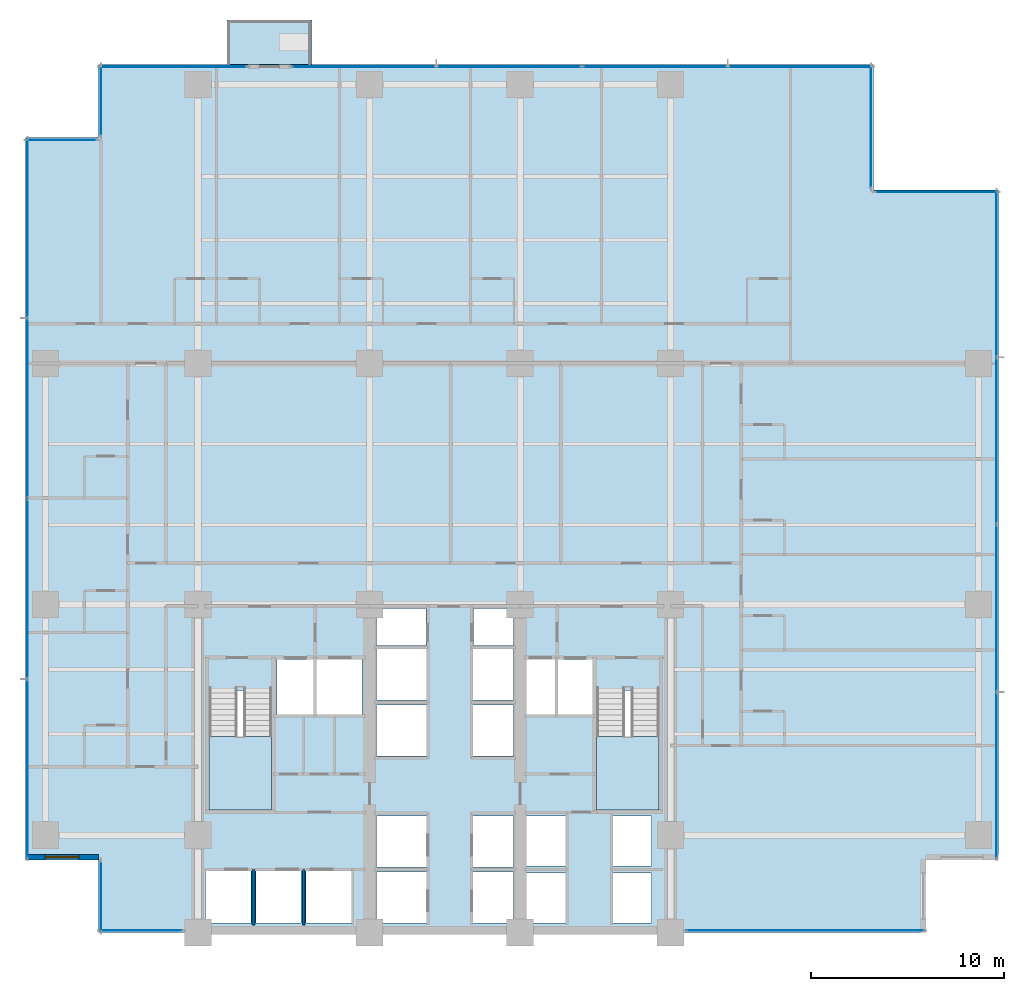
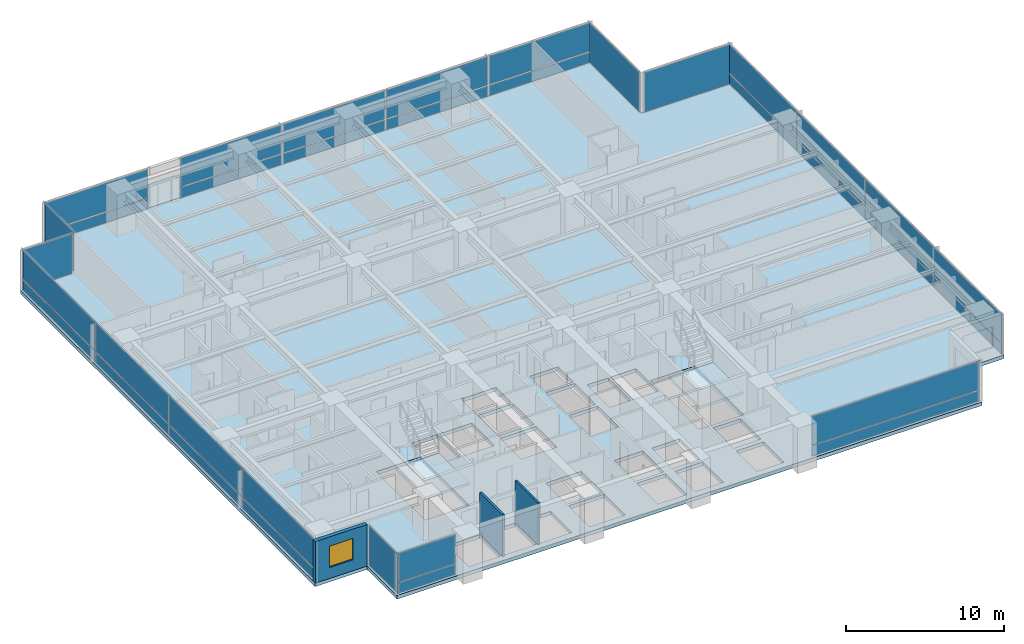
# One storey, part 6 of 17: 35 plates, 4 slabs, 3 walls, 1 window, 1 opening, 13 elements without a shape of their own.
"""IFC4 building model written with IfcOpenShell, lengths in metres."""

from ifc_helpers import new_model, si_unit, direction, frame, frame_2d, origin, origin_2d, place, context, subcontext, project, spatial, polyline, rectangle, outline, extrude, material, layer, layer_set, type_object, element, fill, aggregate, save


model = new_model("IFC4")

# Units and contexts
model_context = context("Model", 3, precision=1e-05, world=origin(), true_north=direction((0.0, 1.0)))
body_context = subcontext(model_context, "Body", "Model", "MODEL_VIEW")
ifc_project = project(units=[si_unit("LENGTHUNIT", "METRE"), si_unit("AREAUNIT", "SQUARE_METRE"), si_unit("VOLUMEUNIT", "CUBIC_METRE"), si_unit("PLANEANGLEUNIT", "RADIAN"), si_unit("MASSUNIT", "GRAM", prefix="KILO")], contexts=[model_context])

# Site, building, storey
site_placement = place(None, origin())
site = spatial("IfcSite", under=ifc_project, at=site_placement, CompositionType="ELEMENT")
building_placement = place(site_placement, origin())
building = spatial("IfcBuilding", under=site, at=building_placement, Name="Qalmaran Belvedere Hotel", CompositionType="ELEMENT")
storey_placement = place(building_placement, frame((0.0, 0.0, 33.39990234375)))
storey = spatial("IfcBuildingStorey", under=building, at=storey_placement, Name="L07", CompositionType="ELEMENT", Elevation=33.39990234375)

# Curtain wall, plate
ifc_material_1 = material(Name="Anodised Bronze Aluminium", Category="aluminium")
ifc_layer_1 = layer(ifc_material_1, 0.2099609375, Name="Anodised Bronze Aluminium")
ifc_layer_set_1 = layer_set([ifc_layer_1], Name="Anodised Bronze Aluminium")
curtain_wall_type = type_object("IfcCurtainWallType", Name="CW2-TOWER-LOWER", PredefinedType="NOTDEFINED", material=ifc_layer_set_1)
curtain_wall_1_placement = place(storey_placement, origin())
curtain_wall_1 = element("IfcCurtainWall", 1, at=curtain_wall_1_placement, inside=storey, type_object=curtain_wall_type, Name="L07 Curtain Wall CW2", PredefinedType="NOTDEFINED")
ifc_material_2 = material(Name="Anodised Bronze Spandrel Panel")
ifc_layer_2 = layer(ifc_material_2, 0.035888671875, Name="Anodised Bronze Spandrel Panel")
ifc_layer_set_2 = layer_set([ifc_layer_2], Name="Anodised Bronze Spandrel Panel")
plate_type_1 = type_object("IfcPlateType", Name="CWP-SPANDREL-36", PredefinedType="CURTAIN_PANEL", material=ifc_layer_set_2)
plate_1_placement = place(storey_placement, frame((17.35498046875, 3.6201171875, 0.0703125), z_axis=(0.0, 0.0, 1.0), x_axis=(1.0, 0.0, 0.0)))
plate_1 = element("IfcPlate", 2, at=plate_1_placement, type_object=plate_type_1, Name="CW2 panel 1.1", PredefinedType="CURTAIN_PANEL", context=body_context, shape_type="SweptSolid", body=[
    extrude(rectangle(XDim=4.260009765625, YDim=0.035888671875, at=origin_2d()), origin(), (0.0, 0.0, 1.0), 0.796630859375),
])

curtain_wall_2_placement = place(storey_placement, origin())
curtain_wall_2 = element("IfcCurtainWall", 3, at=curtain_wall_2_placement, inside=storey, type_object=curtain_wall_type, Name="L07 Curtain Wall CW2", PredefinedType="NOTDEFINED")
plate_2_placement = place(storey_placement, frame((51.77001953125, 3.6201171875, 0.0703125), z_axis=(0.0, 0.0, 1.0), x_axis=(1.0, 0.0, 0.0)))
plate_2 = element("IfcPlate", 4, at=plate_2_placement, type_object=plate_type_1, Name="CW2 panel 1.1", PredefinedType="CURTAIN_PANEL", context=body_context, shape_type="SweptSolid", body=[
    extrude(rectangle(XDim=12.31005859375, YDim=0.035888671875, at=origin_2d()), origin(), (0.0, 0.0, 1.0), 0.796630859375),
])

# Curtain wall, plates
curtain_wall_3_placement = place(storey_placement, origin())
curtain_wall_3 = element("IfcCurtainWall", 5, at=curtain_wall_3_placement, inside=storey, type_object=curtain_wall_type, Name="L07 Curtain Wall CW2", PredefinedType="NOTDEFINED")
plate_3_placement = place(storey_placement, frame((61.679931640625, 11.65625, 0.0703125), z_axis=(0.0, 0.0, 1.0), x_axis=(0.0, 1.0, 0.0)))
plate_3 = element("IfcPlate", 6, at=plate_3_placement, type_object=plate_type_1, Name="CW2 panel 1.1", PredefinedType="CURTAIN_PANEL", context=body_context, shape_type="SweptSolid", body=[
    extrude(rectangle(XDim=8.5625, YDim=0.035888671875, at=origin_2d()), origin(), (0.0, 0.0, 1.0), 0.796630859375),
])
plate_4_placement = place(storey_placement, frame((61.679931640625, 20.3125, 0.0703125), z_axis=(0.0, 0.0, 1.0), x_axis=(0.0, 1.0, 0.0)))
plate_4 = element("IfcPlate", 7, at=plate_4_placement, type_object=plate_type_1, Name="CW2 panel 2.1", PredefinedType="CURTAIN_PANEL", context=body_context, shape_type="SweptSolid", body=[
    extrude(rectangle(XDim=8.60009765625, YDim=0.035888671875, at=origin_2d()), origin(), (0.0, 0.0, 1.0), 0.796630859375),
])
plate_5_placement = place(storey_placement, frame((61.679931640625, 28.987548828125, 0.0703125), z_axis=(0.0, 0.0, 1.0), x_axis=(0.0, 1.0, 0.0)))
plate_5 = element("IfcPlate", 8, at=plate_5_placement, type_object=plate_type_1, Name="CW2 panel 3.1", PredefinedType="CURTAIN_PANEL", context=body_context, shape_type="SweptSolid", body=[
    extrude(rectangle(XDim=8.60009765625, YDim=0.035888671875, at=origin_2d()), origin(), (0.0, 0.0, 1.0), 0.796630859375),
])
plate_6_placement = place(storey_placement, frame((61.679931640625, 37.643798828125, 0.0703125), z_axis=(0.0, 0.0, 1.0), x_axis=(0.0, 1.0, 0.0)))
plate_6 = element("IfcPlate", 9, at=plate_6_placement, type_object=plate_type_1, Name="CW2 panel 4.1", PredefinedType="CURTAIN_PANEL", context=body_context, shape_type="SweptSolid", body=[
    extrude(rectangle(XDim=8.5625, YDim=0.035888671875, at=origin_2d()), origin(), (0.0, 0.0, 1.0), 0.796630859375),
])

# Curtain wall, plate
curtain_wall_4_placement = place(storey_placement, origin())
curtain_wall_4 = element("IfcCurtainWall", 10, at=curtain_wall_4_placement, inside=storey, type_object=curtain_wall_type, Name="L07 Curtain Wall CW2", PredefinedType="NOTDEFINED")
plate_7_placement = place(storey_placement, frame((19.02490234375, 48.3798828125, 0.0703125), z_axis=(0.0, 0.0, 1.0), x_axis=(-1.0, 0.0, 0.0)))
plate_7 = element("IfcPlate", 11, at=plate_7_placement, type_object=plate_type_1, Name="CW2 panel 1.1", PredefinedType="CURTAIN_PANEL", context=body_context, shape_type="SweptSolid", body=[
    extrude(rectangle(XDim=7.60009765625, YDim=0.035888671875, at=origin_2d()), origin(), (0.0, 0.0, 1.0), 0.796630859375),
])

# Curtain wall, plates
curtain_wall_5_placement = place(storey_placement, origin())
curtain_wall_5 = element("IfcCurtainWall", 12, at=curtain_wall_5_placement, inside=storey, type_object=curtain_wall_type, Name="L07 Curtain Wall CW2", PredefinedType="NOTDEFINED")
plate_8_placement = place(storey_placement, frame((51.50634765625, 48.3798828125, 0.0703125), z_axis=(0.0, 0.0, 1.0), x_axis=(-1.0, 0.0, 0.0)))
plate_8 = element("IfcPlate", 13, at=plate_8_placement, type_object=plate_type_1, Name="CW2 panel 1.1", PredefinedType="CURTAIN_PANEL", context=body_context, shape_type="SweptSolid", body=[
    extrude(rectangle(XDim=7.4375, YDim=0.035888671875, at=origin_2d()), origin(), (0.0, 0.0, 1.0), 0.796630859375),
])
plate_9_placement = place(storey_placement, frame((43.97509765625, 48.3798828125, 0.0703125), z_axis=(0.0, 0.0, 1.0), x_axis=(-1.0, 0.0, 0.0)))
plate_9 = element("IfcPlate", 14, at=plate_9_placement, type_object=plate_type_1, Name="CW2 panel 2.1", PredefinedType="CURTAIN_PANEL", context=body_context, shape_type="SweptSolid", body=[
    extrude(rectangle(XDim=7.47509765625, YDim=0.035888671875, at=origin_2d()), origin(), (0.0, 0.0, 1.0), 0.796630859375),
])
plate_10_placement = place(storey_placement, frame((36.425048828125, 48.3798828125, 0.0703125), z_axis=(0.0, 0.0, 1.0), x_axis=(-1.0, 0.0, 0.0)))
plate_10 = element("IfcPlate", 15, at=plate_10_placement, type_object=plate_type_1, Name="CW2 panel 3.1", PredefinedType="CURTAIN_PANEL", context=body_context, shape_type="SweptSolid", body=[
    extrude(rectangle(XDim=7.47509765625, YDim=0.035888671875, at=origin_2d()), origin(), (0.0, 0.0, 1.0), 0.796630859375),
])
plate_11_placement = place(storey_placement, frame((28.893798828125, 48.3798828125, 0.0703125), z_axis=(0.0, 0.0, 1.0), x_axis=(-1.0, 0.0, 0.0)))
plate_11 = element("IfcPlate", 16, at=plate_11_placement, type_object=plate_type_1, Name="CW2 panel 4.1", PredefinedType="CURTAIN_PANEL", context=body_context, shape_type="SweptSolid", body=[
    extrude(rectangle(XDim=7.4375, YDim=0.035888671875, at=origin_2d()), origin(), (0.0, 0.0, 1.0), 0.796630859375),
])

curtain_wall_6_placement = place(storey_placement, origin())
curtain_wall_6 = element("IfcCurtainWall", 17, at=curtain_wall_6_placement, inside=storey, type_object=curtain_wall_type, Name="L07 Curtain Wall CW2", PredefinedType="NOTDEFINED")
plate_12_placement = place(storey_placement, frame((11.469970703125, 40.00634765625, 0.0703125), z_axis=(0.0, 0.0, 1.0), x_axis=(0.0, -1.0, 0.0)))
plate_12 = element("IfcPlate", 18, at=plate_12_placement, type_object=plate_type_1, Name="CW2 panel 1.1", PredefinedType="CURTAIN_PANEL", context=body_context, shape_type="SweptSolid", body=[
    extrude(rectangle(XDim=9.237548828125, YDim=0.035888671875, at=origin_2d()), origin(), (0.0, 0.0, 1.0), 0.796630859375),
])
plate_13_placement = place(storey_placement, frame((11.469970703125, 30.675048828125, 0.0703125), z_axis=(0.0, 0.0, 1.0), x_axis=(0.0, -1.0, 0.0)))
plate_13 = element("IfcPlate", 19, at=plate_13_placement, type_object=plate_type_1, Name="CW2 panel 2.1", PredefinedType="CURTAIN_PANEL", context=body_context, shape_type="SweptSolid", body=[
    extrude(rectangle(XDim=9.27490234375, YDim=0.035888671875, at=origin_2d()), origin(), (0.0, 0.0, 1.0), 0.796630859375),
])
plate_14_placement = place(storey_placement, frame((11.469970703125, 21.324951171875, 0.0703125), z_axis=(0.0, 0.0, 1.0), x_axis=(0.0, -1.0, 0.0)))
plate_14 = element("IfcPlate", 20, at=plate_14_placement, type_object=plate_type_1, Name="CW2 panel 3.1", PredefinedType="CURTAIN_PANEL", context=body_context, shape_type="SweptSolid", body=[
    extrude(rectangle(XDim=9.27490234375, YDim=0.035888671875, at=origin_2d()), origin(), (0.0, 0.0, 1.0), 0.796630859375),
])
plate_15_placement = place(storey_placement, frame((11.469970703125, 11.99365234375, 0.0703125), z_axis=(0.0, 0.0, 1.0), x_axis=(0.0, -1.0, 0.0)))
plate_15 = element("IfcPlate", 21, at=plate_15_placement, type_object=plate_type_1, Name="CW2 panel 4.1", PredefinedType="CURTAIN_PANEL", context=body_context, shape_type="SweptSolid", body=[
    extrude(rectangle(XDim=9.237548828125, YDim=0.035888671875, at=origin_2d()), origin(), (0.0, 0.0, 1.0), 0.796630859375),
])

# Plate
ifc_material_3 = material(Name="Solar-Control Double Glazing", Category="glass")
ifc_layer_3 = layer(ifc_material_3, 0.028076171875, Name="Solar-Control Double Glazing")
ifc_layer_set_3 = layer_set([ifc_layer_3], Name="Solar-Control Double Glazing")
plate_type_2 = type_object("IfcPlateType", Name="CWP-VISION-28", PredefinedType="CURTAIN_PANEL", material=ifc_layer_set_3)
plate_16_placement = place(storey_placement, frame((17.35498046875, 3.6201171875, 0.936767578125), z_axis=(0.0, 0.0, 1.0), x_axis=(1.0, 0.0, 0.0)))
plate_16 = element("IfcPlate", 22, at=plate_16_placement, type_object=plate_type_2, Name="CW2 panel 1.2", PredefinedType="CURTAIN_PANEL", context=body_context, shape_type="SweptSolid", body=[
    extrude(rectangle(XDim=4.260009765625, YDim=0.028076171875, at=origin_2d()), origin(), (0.0, 0.0, 1.0), 2.21337890625),
])

aggregate(curtain_wall_1, [plate_1, plate_16])

plate_17_placement = place(storey_placement, frame((51.77001953125, 3.6201171875, 0.936767578125), z_axis=(0.0, 0.0, 1.0), x_axis=(1.0, 0.0, 0.0)))
plate_17 = element("IfcPlate", 23, at=plate_17_placement, type_object=plate_type_2, Name="CW2 panel 1.2", PredefinedType="CURTAIN_PANEL", context=body_context, shape_type="SweptSolid", body=[
    extrude(rectangle(XDim=12.31005859375, YDim=0.028076171875, at=origin_2d()), origin(), (0.0, 0.0, 1.0), 2.21337890625),
])

aggregate(curtain_wall_2, [plate_2, plate_17])

plate_18_placement = place(storey_placement, frame((61.679931640625, 11.65625, 0.936767578125), z_axis=(0.0, 0.0, 1.0), x_axis=(0.0, 1.0, 0.0)))
plate_18 = element("IfcPlate", 24, at=plate_18_placement, type_object=plate_type_2, Name="CW2 panel 1.2", PredefinedType="CURTAIN_PANEL", context=body_context, shape_type="SweptSolid", body=[
    extrude(rectangle(XDim=8.5625, YDim=0.028076171875, at=origin_2d()), origin(), (0.0, 0.0, 1.0), 2.21337890625),
])

plate_19_placement = place(storey_placement, frame((61.679931640625, 20.3125, 0.936767578125), z_axis=(0.0, 0.0, 1.0), x_axis=(0.0, 1.0, 0.0)))
plate_19 = element("IfcPlate", 25, at=plate_19_placement, type_object=plate_type_2, Name="CW2 panel 2.2", PredefinedType="CURTAIN_PANEL", context=body_context, shape_type="SweptSolid", body=[
    extrude(rectangle(XDim=8.60009765625, YDim=0.028076171875, at=origin_2d()), origin(), (0.0, 0.0, 1.0), 2.21337890625),
])

plate_20_placement = place(storey_placement, frame((61.679931640625, 28.987548828125, 0.936767578125), z_axis=(0.0, 0.0, 1.0), x_axis=(0.0, 1.0, 0.0)))
plate_20 = element("IfcPlate", 26, at=plate_20_placement, type_object=plate_type_2, Name="CW2 panel 3.2", PredefinedType="CURTAIN_PANEL", context=body_context, shape_type="SweptSolid", body=[
    extrude(rectangle(XDim=8.60009765625, YDim=0.028076171875, at=origin_2d()), origin(), (0.0, 0.0, 1.0), 2.21337890625),
])

plate_21_placement = place(storey_placement, frame((61.679931640625, 37.643798828125, 0.936767578125), z_axis=(0.0, 0.0, 1.0), x_axis=(0.0, 1.0, 0.0)))
plate_21 = element("IfcPlate", 27, at=plate_21_placement, type_object=plate_type_2, Name="CW2 panel 4.2", PredefinedType="CURTAIN_PANEL", context=body_context, shape_type="SweptSolid", body=[
    extrude(rectangle(XDim=8.5625, YDim=0.028076171875, at=origin_2d()), origin(), (0.0, 0.0, 1.0), 2.21337890625),
])

aggregate(curtain_wall_3, [plate_3, plate_18, plate_4, plate_19, plate_5, plate_20, plate_6, plate_21])

# Curtain wall, plate
curtain_wall_7_placement = place(storey_placement, origin())
curtain_wall_7 = element("IfcCurtainWall", 28, at=curtain_wall_7_placement, inside=storey, type_object=curtain_wall_type, Name="L07 Curtain Wall CW2", PredefinedType="NOTDEFINED")
plate_22_placement = place(storey_placement, frame((58.550048828125, 41.8798828125, 0.070068359375), z_axis=(0.0, 0.0, 1.0), x_axis=(-1.0, 0.0, 0.0)))
plate_22 = element("IfcPlate", 29, at=plate_22_placement, type_object=plate_type_2, Name="CW2 panel 1.1", PredefinedType="CURTAIN_PANEL", context=body_context, shape_type="SweptSolid", body=[
    extrude(rectangle(XDim=6.35009765625, YDim=0.028076171875, at=origin_2d()), origin(), (0.0, 0.0, 1.0), 3.080078125),
])
aggregate(curtain_wall_7, [plate_22])

curtain_wall_8_placement = place(storey_placement, origin())
curtain_wall_8 = element("IfcCurtainWall", 30, at=curtain_wall_8_placement, inside=storey, type_object=curtain_wall_type, Name="L07 Curtain Wall CW2", PredefinedType="NOTDEFINED")
plate_23_placement = place(storey_placement, frame((55.179931640625, 45.25, 0.070068359375), z_axis=(0.0, 0.0, 1.0), x_axis=(0.0, 1.0, 0.0)))
plate_23 = element("IfcPlate", 31, at=plate_23_placement, type_object=plate_type_2, Name="CW2 panel 1.1", PredefinedType="CURTAIN_PANEL", context=body_context, shape_type="SweptSolid", body=[
    extrude(rectangle(XDim=6.35009765625, YDim=0.028076171875, at=origin_2d()), origin(), (0.0, 0.0, 1.0), 3.080078125),
])
aggregate(curtain_wall_8, [plate_23])

# Plate
plate_24_placement = place(storey_placement, frame((19.02490234375, 48.3798828125, 0.936767578125), z_axis=(0.0, 0.0, 1.0), x_axis=(-1.0, 0.0, 0.0)))
plate_24 = element("IfcPlate", 32, at=plate_24_placement, type_object=plate_type_2, Name="CW2 panel 1.2", PredefinedType="CURTAIN_PANEL", context=body_context, shape_type="SweptSolid", body=[
    extrude(rectangle(XDim=7.60009765625, YDim=0.028076171875, at=origin_2d()), origin(), (0.0, 0.0, 1.0), 2.21337890625),
])

aggregate(curtain_wall_4, [plate_7, plate_24])

plate_25_placement = place(storey_placement, frame((51.50634765625, 48.3798828125, 0.936767578125), z_axis=(0.0, 0.0, 1.0), x_axis=(-1.0, 0.0, 0.0)))
plate_25 = element("IfcPlate", 33, at=plate_25_placement, type_object=plate_type_2, Name="CW2 panel 1.2", PredefinedType="CURTAIN_PANEL", context=body_context, shape_type="SweptSolid", body=[
    extrude(rectangle(XDim=7.4375, YDim=0.028076171875, at=origin_2d()), origin(), (0.0, 0.0, 1.0), 2.21337890625),
])

plate_26_placement = place(storey_placement, frame((43.97509765625, 48.3798828125, 0.936767578125), z_axis=(0.0, 0.0, 1.0), x_axis=(-1.0, 0.0, 0.0)))
plate_26 = element("IfcPlate", 34, at=plate_26_placement, type_object=plate_type_2, Name="CW2 panel 2.2", PredefinedType="CURTAIN_PANEL", context=body_context, shape_type="SweptSolid", body=[
    extrude(rectangle(XDim=7.47509765625, YDim=0.028076171875, at=origin_2d()), origin(), (0.0, 0.0, 1.0), 2.21337890625),
])

plate_27_placement = place(storey_placement, frame((36.425048828125, 48.3798828125, 0.936767578125), z_axis=(0.0, 0.0, 1.0), x_axis=(-1.0, 0.0, 0.0)))
plate_27 = element("IfcPlate", 35, at=plate_27_placement, type_object=plate_type_2, Name="CW2 panel 3.2", PredefinedType="CURTAIN_PANEL", context=body_context, shape_type="SweptSolid", body=[
    extrude(rectangle(XDim=7.47509765625, YDim=0.028076171875, at=origin_2d()), origin(), (0.0, 0.0, 1.0), 2.21337890625),
])

plate_28_placement = place(storey_placement, frame((28.893798828125, 48.3798828125, 0.936767578125), z_axis=(0.0, 0.0, 1.0), x_axis=(-1.0, 0.0, 0.0)))
plate_28 = element("IfcPlate", 36, at=plate_28_placement, type_object=plate_type_2, Name="CW2 panel 4.2", PredefinedType="CURTAIN_PANEL", context=body_context, shape_type="SweptSolid", body=[
    extrude(rectangle(XDim=7.4375, YDim=0.028076171875, at=origin_2d()), origin(), (0.0, 0.0, 1.0), 2.21337890625),
])

aggregate(curtain_wall_5, [plate_8, plate_25, plate_9, plate_26, plate_10, plate_27, plate_11, plate_28])

# Curtain wall, plate
curtain_wall_9_placement = place(storey_placement, origin())
curtain_wall_9 = element("IfcCurtainWall", 37, at=curtain_wall_9_placement, inside=storey, type_object=curtain_wall_type, Name="L07 Curtain Wall CW2", PredefinedType="NOTDEFINED")
plate_29_placement = place(storey_placement, frame((15.27001953125, 46.60009765625, 0.070068359375), z_axis=(0.0, 0.0, 1.0), x_axis=(0.0, -1.0, 0.0)))
plate_29 = element("IfcPlate", 38, at=plate_29_placement, type_object=plate_type_2, Name="CW2 panel 1.1", PredefinedType="CURTAIN_PANEL", context=body_context, shape_type="SweptSolid", body=[
    extrude(rectangle(XDim=3.64990234375, YDim=0.028076171875, at=origin_2d()), origin(), (0.0, 0.0, 1.0), 3.080078125),
])
aggregate(curtain_wall_9, [plate_29])

curtain_wall_10_placement = place(storey_placement, origin())
curtain_wall_10 = element("IfcCurtainWall", 39, at=curtain_wall_10_placement, inside=storey, type_object=curtain_wall_type, Name="L07 Curtain Wall CW2", PredefinedType="NOTDEFINED")
plate_30_placement = place(storey_placement, frame((13.25, 44.580078125, 0.070068359375), z_axis=(0.0, 0.0, 1.0), x_axis=(-1.0, 0.0, 0.0)))
plate_30 = element("IfcPlate", 40, at=plate_30_placement, type_object=plate_type_2, Name="CW2 panel 1.1", PredefinedType="CURTAIN_PANEL", context=body_context, shape_type="SweptSolid", body=[
    extrude(rectangle(XDim=3.64990234375, YDim=0.028076171875, at=origin_2d()), origin(), (0.0, 0.0, 1.0), 3.080078125),
])
aggregate(curtain_wall_10, [plate_30])

# Plate
plate_31_placement = place(storey_placement, frame((11.469970703125, 40.00634765625, 0.936767578125), z_axis=(0.0, 0.0, 1.0), x_axis=(0.0, -1.0, 0.0)))
plate_31 = element("IfcPlate", 41, at=plate_31_placement, type_object=plate_type_2, Name="CW2 panel 1.2", PredefinedType="CURTAIN_PANEL", context=body_context, shape_type="SweptSolid", body=[
    extrude(rectangle(XDim=9.237548828125, YDim=0.028076171875, at=origin_2d()), origin(), (0.0, 0.0, 1.0), 2.21337890625),
])

plate_32_placement = place(storey_placement, frame((11.469970703125, 30.675048828125, 0.936767578125), z_axis=(0.0, 0.0, 1.0), x_axis=(0.0, -1.0, 0.0)))
plate_32 = element("IfcPlate", 42, at=plate_32_placement, type_object=plate_type_2, Name="CW2 panel 2.2", PredefinedType="CURTAIN_PANEL", context=body_context, shape_type="SweptSolid", body=[
    extrude(rectangle(XDim=9.27490234375, YDim=0.028076171875, at=origin_2d()), origin(), (0.0, 0.0, 1.0), 2.21337890625),
])

plate_33_placement = place(storey_placement, frame((11.469970703125, 21.324951171875, 0.936767578125), z_axis=(0.0, 0.0, 1.0), x_axis=(0.0, -1.0, 0.0)))
plate_33 = element("IfcPlate", 43, at=plate_33_placement, type_object=plate_type_2, Name="CW2 panel 3.2", PredefinedType="CURTAIN_PANEL", context=body_context, shape_type="SweptSolid", body=[
    extrude(rectangle(XDim=9.27490234375, YDim=0.028076171875, at=origin_2d()), origin(), (0.0, 0.0, 1.0), 2.21337890625),
])

plate_34_placement = place(storey_placement, frame((11.469970703125, 11.99365234375, 0.936767578125), z_axis=(0.0, 0.0, 1.0), x_axis=(0.0, -1.0, 0.0)))
plate_34 = element("IfcPlate", 44, at=plate_34_placement, type_object=plate_type_2, Name="CW2 panel 4.2", PredefinedType="CURTAIN_PANEL", context=body_context, shape_type="SweptSolid", body=[
    extrude(rectangle(XDim=9.237548828125, YDim=0.028076171875, at=origin_2d()), origin(), (0.0, 0.0, 1.0), 2.21337890625),
])

aggregate(curtain_wall_6, [plate_12, plate_31, plate_13, plate_32, plate_14, plate_33, plate_15, plate_34])

# Curtain wall, plate
curtain_wall_11_placement = place(storey_placement, origin())
curtain_wall_11 = element("IfcCurtainWall", 45, at=curtain_wall_11_placement, inside=storey, type_object=curtain_wall_type, Name="L07 Curtain Wall CW2", PredefinedType="NOTDEFINED")
plate_35_placement = place(storey_placement, frame((15.27001953125, 5.39990234375, 0.070068359375), z_axis=(0.0, 0.0, 1.0), x_axis=(0.0, -1.0, 0.0)))
plate_35 = element("IfcPlate", 46, at=plate_35_placement, type_object=plate_type_2, Name="CW2 panel 1.1", PredefinedType="CURTAIN_PANEL", context=body_context, shape_type="SweptSolid", body=[
    extrude(rectangle(XDim=3.64990234375, YDim=0.028076171875, at=origin_2d()), origin(), (0.0, 0.0, 1.0), 3.080078125),
])
aggregate(curtain_wall_11, [plate_35])

# Slab
ifc_material_4 = material(Name="Concrete C40/50", Category="concrete")
ifc_layer_4 = layer(ifc_material_4, 0.219970703125, Name="Concrete C40/50")
ifc_layer_set_4 = layer_set([ifc_layer_4], Name="Concrete C40/50")
slab_type_1 = type_object("IfcSlabType", Name="SLB-BAL-220", PredefinedType="USERDEFINED", material=ifc_layer_set_4)
slab_1_placement = place(storey_placement, frame((0.0, 0.0, -0.219970703125)))
element("IfcSlab", 47, at=slab_1_placement, inside=storey, type_object=slab_type_1, Name="L07 Planted Tree Balcony Slab 1", ObjectType="BALCONY", PredefinedType="USERDEFINED", context=body_context, shape_type="SweptSolid", body=[
    extrude(outline(polyline([(21.800048828125, 48.5), (26.199951171875, 48.5), (26.199951171875, 50.800048828125), (21.800048828125, 50.800048828125), (21.800048828125, 48.5)])), origin(), (0.0, 0.0, 1.0), 0.219970703125),
])

# Stair, slab
stair_type_1 = type_object("IfcStairType", Name="STR-ST-1-1450-R1750", PredefinedType="HALF_TURN_STAIR", material=ifc_material_4)
stair_1_placement = place(storey_placement, origin())
stair_1 = element("IfcStair", 48, at=stair_1_placement, inside=storey, type_object=stair_type_1, Name="L07 West Core Exit Stair ST-1", PredefinedType="HALF_TURN_STAIR")
ifc_layer_5 = layer(ifc_material_4, 0.199951171875, Name="Concrete C40/50")
ifc_layer_set_5 = layer_set([ifc_layer_5], Name="Concrete C40/50")
slab_type_2 = type_object("IfcSlabType", Name="SLB-STAIR-LANDING-200", PredefinedType="LANDING", material=ifc_layer_set_5)
slab_2_placement = place(storey_placement, frame((0.0, 0.0, 1.550048828125)))
slab_2 = element("IfcSlab", 49, at=slab_2_placement, type_object=slab_type_2, Name="ST-1 landing 1", PredefinedType="LANDING", context=body_context, shape_type="SweptSolid", body=[
    extrude(outline(polyline([(20.8798828125, 13.669921875), (20.8798828125, 9.85009765625), (24.1201171875, 9.85009765625), (24.1201171875, 13.669921875), (20.8798828125, 13.669921875)])), origin(), (0.0, 0.0, 1.0), 0.199951171875),
])
aggregate(stair_1, [slab_2])

stair_type_2 = type_object("IfcStairType", Name="STR-ST-2-1450-R1750", PredefinedType="HALF_TURN_STAIR", material=ifc_material_4)
stair_2_placement = place(storey_placement, origin())
stair_2 = element("IfcStair", 50, at=stair_2_placement, inside=storey, type_object=stair_type_2, Name="L07 East Core Exit Stair ST-2", PredefinedType="HALF_TURN_STAIR")
slab_3_placement = place(storey_placement, frame((0.0, 0.0, 1.550048828125)))
slab_3 = element("IfcSlab", 51, at=slab_3_placement, type_object=slab_type_2, Name="ST-2 landing 1", PredefinedType="LANDING", context=body_context, shape_type="SweptSolid", body=[
    extrude(outline(polyline([(40.9599609375, 13.669921875), (40.9599609375, 9.85009765625), (44.199951171875, 9.85009765625), (44.199951171875, 13.669921875), (40.9599609375, 13.669921875)])), origin(), (0.0, 0.0, 1.0), 0.199951171875),
])
aggregate(stair_2, [slab_3])

# Slab
ifc_layer_6 = layer(ifc_material_4, 0.280029296875, Name="Concrete C40/50")
ifc_layer_set_6 = layer_set([ifc_layer_6], Name="Concrete C40/50")
slab_type_3 = type_object("IfcSlabType", Name="SLB-Z1-280", PredefinedType="FLOOR", material=ifc_layer_set_6)
slab_4_placement = place(storey_placement, frame((0.0, 0.0, -0.27978515625)))
element("IfcSlab", 52, at=slab_4_placement, inside=storey, type_object=slab_type_3, Name="L07 Structural Floor Slab", PredefinedType="FLOOR", context=body_context, shape_type="SweptSolid", body=[
    extrude(outline(polyline([(15.14990234375, 3.5), (58.0, 3.5), (58.0, 7.300048828125), (61.800048828125, 7.300048828125), (61.800048828125, 42.0), (55.300048828125, 42.0), (55.300048828125, 48.5), (15.14990234375, 48.5), (15.14990234375, 44.699951171875), (11.35009765625, 44.699951171875), (11.35009765625, 7.300048828125), (15.14990234375, 7.300048828125), (15.14990234375, 3.5)]), holes=[polyline([(20.8798828125, 9.85009765625), (24.1201171875, 9.85009765625), (24.1201171875, 16.0400390625), (20.8798828125, 16.0400390625), (20.8798828125, 9.85009765625)]), polyline([(40.9599609375, 9.85009765625), (44.199951171875, 9.85009765625), (44.199951171875, 16.0400390625), (40.9599609375, 16.0400390625), (40.9599609375, 9.85009765625)]), polyline([(29.544921875, 4.0), (32.14990234375, 4.0), (32.14990234375, 6.64990234375), (29.544921875, 6.64990234375), (29.544921875, 4.0)]), polyline([(29.544921875, 6.89990234375), (32.14990234375, 6.89990234375), (32.14990234375, 9.550048828125), (29.544921875, 9.550048828125), (29.544921875, 6.89990234375)]), polyline([(34.550048828125, 4.0), (36.655029296875, 4.0), (36.655029296875, 6.64990234375), (34.550048828125, 6.64990234375), (34.550048828125, 4.0)]), polyline([(34.550048828125, 6.89990234375), (36.655029296875, 6.89990234375), (36.655029296875, 9.550048828125), (34.550048828125, 9.550048828125), (34.550048828125, 6.89990234375)]), polyline([(29.544921875, 12.64990234375), (32.14990234375, 12.64990234375), (32.14990234375, 15.300048828125), (29.544921875, 15.300048828125), (29.544921875, 12.64990234375)]), polyline([(29.544921875, 15.550048828125), (32.14990234375, 15.550048828125), (32.14990234375, 18.199951171875), (29.544921875, 18.199951171875), (29.544921875, 15.550048828125)]), polyline([(34.550048828125, 12.64990234375), (36.655029296875, 12.64990234375), (36.655029296875, 15.300048828125), (34.550048828125, 15.300048828125), (34.550048828125, 12.64990234375)]), polyline([(34.550048828125, 15.550048828125), (36.655029296875, 15.550048828125), (36.655029296875, 18.199951171875), (34.550048828125, 18.199951171875), (34.550048828125, 15.550048828125)]), polyline([(37.300048828125, 4.0), (39.35009765625, 4.0), (39.35009765625, 6.60009765625), (37.300048828125, 6.60009765625), (37.300048828125, 4.0)]), polyline([(37.300048828125, 6.949951171875), (39.35009765625, 6.949951171875), (39.35009765625, 9.550048828125), (37.300048828125, 9.550048828125), (37.300048828125, 6.949951171875)]), polyline([(41.800048828125, 4.0), (43.800048828125, 4.0), (43.800048828125, 6.60009765625), (41.800048828125, 6.60009765625), (41.800048828125, 4.0)]), polyline([(41.800048828125, 6.949951171875), (43.800048828125, 6.949951171875), (43.800048828125, 9.550048828125), (41.800048828125, 9.550048828125), (41.800048828125, 6.949951171875)]), polyline([(20.699951171875, 4.0), (23.050048828125, 4.0), (23.050048828125, 6.699951171875), (20.699951171875, 6.699951171875), (20.699951171875, 4.0)]), polyline([(23.300048828125, 4.0), (25.64990234375, 4.0), (25.64990234375, 6.699951171875), (23.300048828125, 6.699951171875), (23.300048828125, 4.0)]), polyline([(25.89990234375, 4.0), (28.25, 4.0), (28.25, 6.699951171875), (25.89990234375, 6.699951171875), (25.89990234375, 4.0)]), polyline([(24.39990234375, 14.800048828125), (26.300048828125, 14.800048828125), (26.300048828125, 17.64990234375), (24.39990234375, 17.64990234375), (24.39990234375, 14.800048828125)]), polyline([(38.949951171875, 14.800048828125), (40.820068359375, 14.800048828125), (40.820068359375, 17.64990234375), (38.949951171875, 17.64990234375), (38.949951171875, 14.800048828125)]), polyline([(26.449951171875, 14.800048828125), (28.800048828125, 14.800048828125), (28.800048828125, 17.64990234375), (26.449951171875, 17.64990234375), (26.449951171875, 14.800048828125)]), polyline([(37.25, 14.800048828125), (38.800048828125, 14.800048828125), (38.800048828125, 17.64990234375), (37.25, 17.64990234375), (37.25, 14.800048828125)]), polyline([(29.544921875, 18.3798828125), (32.1201171875, 18.3798828125), (32.1201171875, 20.300048828125), (29.544921875, 20.300048828125), (29.544921875, 18.3798828125)]), polyline([(34.580078125, 18.3798828125), (36.655029296875, 18.3798828125), (36.655029296875, 20.300048828125), (34.580078125, 20.300048828125), (34.580078125, 18.3798828125)])]), origin(), (0.0, 0.0, 1.0), 0.27978515625),
])

# Wall, opening, window
ifc_material_5 = material(Name="Anodised Bronze Cladding")
ifc_layer_7 = layer(ifc_material_5, 0.280029296875, Name="Anodised Bronze Cladding")
ifc_layer_set_7 = layer_set([ifc_layer_7], Name="Anodised Bronze Cladding")
wall_type_1 = type_object("IfcWallType", Name="WL-EXT-BRNZ-280", PredefinedType="SOLIDWALL", material=ifc_layer_set_7)
wall_placement = place(storey_placement, frame((11.35009765625, 7.419921875, 0.0), z_axis=(0.0, 0.0, 1.0), x_axis=(1.0, 0.0, 0.0)))
wall = element("IfcWall", 53, at=wall_placement, inside=storey, type_object=wall_type_1, Name="L07 Corner Notch Wall 10", PredefinedType="SOLIDWALL", context=body_context, shape_type="SweptSolid", body=[
    extrude(rectangle(XDim=3.7998046875, YDim=0.280029296875, at=frame_2d((1.89990234375, 0.0))), origin(), (0.0, 0.0, 1.0), 3.22021484375),
])
opening_placement = place(wall_placement, frame((1.02490234375, 0.0, 0.85009765625)))
opening = element("IfcOpeningElement", 54, at=opening_placement, cuts=wall, Name="Opening W-N17", PredefinedType="OPENING", context=body_context, shape_type="SweptSolid", body=[
    extrude(rectangle(XDim=1.75, YDim=1.64990234375, at=frame_2d((0.875, 0.824951171875))), frame((0.0, 0.14990234375, 0.0), z_axis=(0.0, -1.0, 0.0), x_axis=(1.0, 0.0, 0.0)), (0.0, 0.0, 1.0), 0.300048828125),
])
window_type = type_object("IfcWindowType", Name="WN-NTC-1750X1650", PartitioningType="SINGLE_PANEL", PredefinedType="WINDOW", material=ifc_material_3)
window_placement = place(opening_placement, origin())
window = element("IfcWindow", 55, at=window_placement, inside=storey, type_object=window_type, Name="L07 Corner Notch Window 10", OverallHeight=1.64990234375, OverallWidth=1.75, PartitioningType="SINGLE_PANEL", PredefinedType="WINDOW", context=body_context, shape_type="SweptSolid", body=[
    extrude(rectangle(XDim=1.75, YDim=1.64990234375, at=frame_2d((0.875, 0.824951171875))), frame((0.0, 0.030029296875, 0.0), z_axis=(0.0, -1.0, 0.0), x_axis=(1.0, 0.0, 0.0)), (0.0, 0.0, 1.0), 0.06005859375),
])
fill(opening, window)

# Walls
ifc_material_6 = material(Name="Gypsum Stud Partition")
ifc_layer_8 = layer(ifc_material_6, 0.14990234375, Name="Gypsum Stud Partition")
ifc_layer_set_8 = layer_set([ifc_layer_8], Name="Gypsum Stud Partition")
wall_type_2 = type_object("IfcWallType", Name="WL-INT-150-EI120", PredefinedType="PARTITIONING", material=ifc_layer_set_8)
for number, where, z_axis, x_axis, name in (
    (56, (23.179931640625, 3.89990234375, 0.0), (0.0, 0.0, 1.0), (0.0, 1.0, 0.0), "L07 Partition WL-POM1-L07"),
    (57, (25.780029296875, 3.89990234375, 0.0), (0.0, 0.0, 1.0), (0.0, 1.0, 0.0), "L07 Partition WL-POM2-L07"),
):
    element("IfcWall", number, at=place(storey_placement, frame(where, z_axis=z_axis, x_axis=x_axis)), inside=storey, type_object=wall_type_2, Name=name, PredefinedType="PARTITIONING", context=body_context, shape_type="SweptSolid", body=[
        extrude(rectangle(XDim=2.880126953125, YDim=0.14990234375, at=frame_2d((1.43994140625, 0.0))), origin(), (0.0, 0.0, 1.0), 3.22021484375),
    ])

save(model, "model.ifc")
